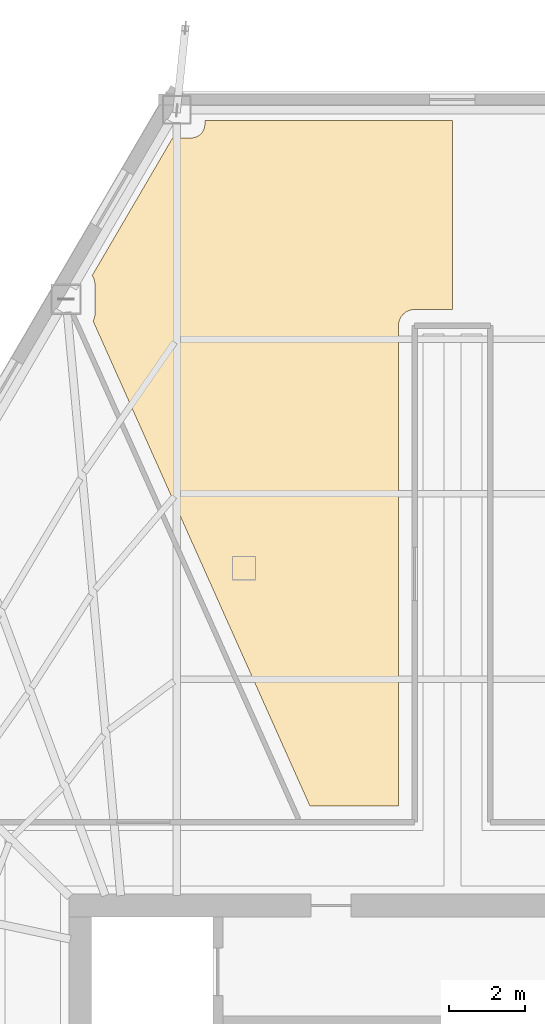
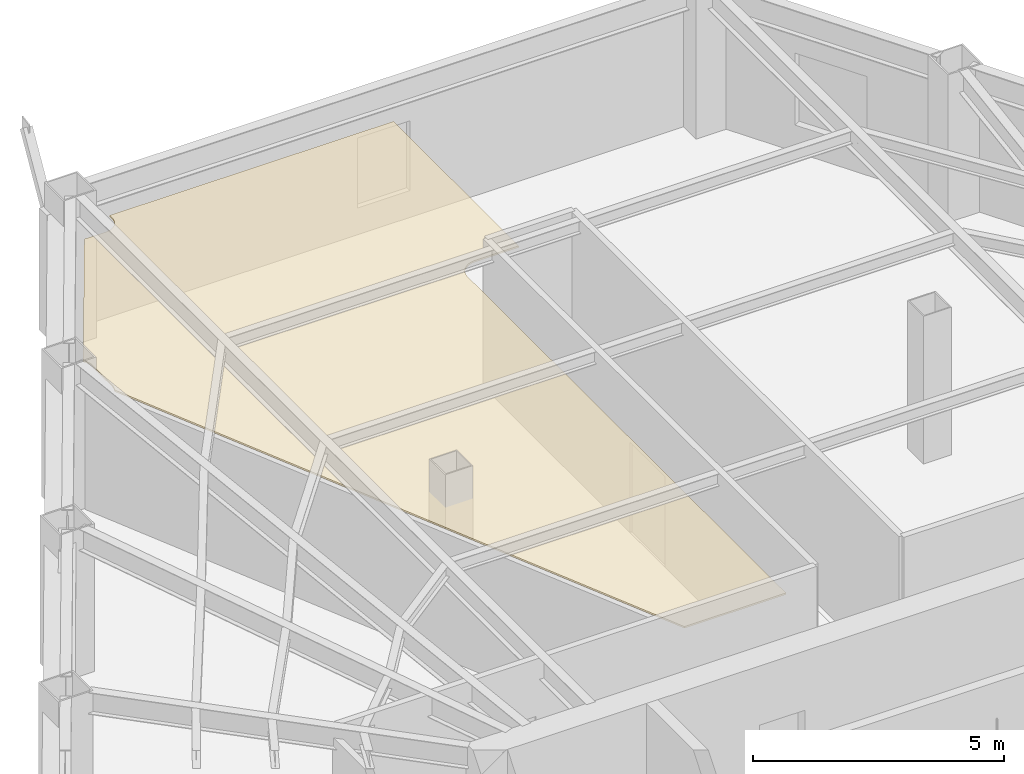
# One storey, part 13 of 13: 1 covering.
"""IFC4 building model written with IfcOpenShell, lengths in metres."""

from ifc_helpers import new_model, si_unit, direction, frame, origin, place, context, subcontext, project, spatial, polyline, outline, extrude, material, layer, layer_set, type_object, element, save


model = new_model("IFC4")

# Units and contexts
model_context = context("Model", 3, precision=1e-05, world=origin(), true_north=direction((0.0, 1.0)))
body_context = subcontext(model_context, "Body", "Model", "MODEL_VIEW")
ifc_project = project(units=[si_unit("LENGTHUNIT", "METRE"), si_unit("AREAUNIT", "SQUARE_METRE"), si_unit("VOLUMEUNIT", "CUBIC_METRE"), si_unit("PLANEANGLEUNIT", "RADIAN"), si_unit("MASSUNIT", "GRAM", prefix="KILO")], contexts=[model_context])

# Site, building, storey
site_placement = place(None, origin())
site = spatial("IfcSite", under=ifc_project, at=site_placement, CompositionType="ELEMENT")
building_placement = place(site_placement, origin())
building = spatial("IfcBuilding", under=site, at=building_placement, Name="Kavelnor Concourse Tower", CompositionType="ELEMENT")
storey_placement = place(building_placement, frame((0.0, 0.0, 59.89990234375)))
storey = spatial("IfcBuildingStorey", under=building, at=storey_placement, Name="L15", CompositionType="ELEMENT", Elevation=59.89990234375)

# Covering
ifc_material = material(Name="Mineral fibre acoustic ceiling tile")
ifc_layer = layer(ifc_material, 0.0400390625, Name="Mineral fibre acoustic ceiling tile")
ifc_layer_set = layer_set([ifc_layer], Name="Mineral fibre acoustic ceiling tile")
covering_type = type_object("IfcCoveringType", Name="COV-CEILING-ACOUSTIC", PredefinedType="CEILING", material=ifc_layer_set)
covering_placement = place(storey_placement, frame((0.0, 0.0, 2.75)))
element("IfcCovering", 1, at=covering_placement, inside=storey, type_object=covering_type, Name="L15 Suspended Acoustic Ceiling", PredefinedType="CEILING", context=body_context, shape_type="SweptSolid", body=[
    extrude(outline(polyline([(31.141845703125, 43.155029296875), (31.177001953125, 43.160400390625), (31.211181640625, 43.1689453125), (31.244384765625, 43.180908203125), (31.276611328125, 43.19580078125), (31.306884765625, 43.214111328125), (31.335205078125, 43.235107421875), (31.361328125, 43.259033203125), (31.38525390625, 43.28515625), (31.40625, 43.313720703125), (31.424560546875, 43.343994140625), (31.439697265625, 43.3759765625), (31.451416015625, 43.4091796875), (31.460205078125, 43.443603515625), (31.46533203125, 43.478515625), (31.466552734375, 43.505615234375), (31.466552734375, 43.61376953125), (37.9951171875, 43.61376953125), (37.9951171875, 38.62255859375), (36.99169921875, 38.62255859375), (36.95849609375, 38.620849609375), (36.91748046875, 38.61474609375), (36.877197265625, 38.604736328125), (36.838134765625, 38.5908203125), (36.800537109375, 38.572998046875), (36.764892578125, 38.551513671875), (36.731689453125, 38.52685546875), (36.700927734375, 38.4990234375), (36.673095703125, 38.46826171875), (36.6484375, 38.43505859375), (36.626953125, 38.3994140625), (36.609375, 38.36181640625), (36.59521484375, 38.32275390625), (36.585205078125, 38.282470703125), (36.5791015625, 38.241455078125), (36.577392578125, 38.208251953125), (36.577392578125, 25.5224609375), (34.240966796875, 25.5224609375), (28.5185546875, 38.3193359375), (28.5234375, 38.327392578125), (28.53857421875, 38.359375), (28.55029296875, 38.392578125), (28.55908203125, 38.427001953125), (28.564208984375, 38.4619140625), (28.5654296875, 38.489013671875), (28.5654296875, 39.305419921875), (28.564208984375, 39.33251953125), (28.55908203125, 39.367431640625), (28.55029296875, 39.40185546875), (28.53857421875, 39.43505859375), (28.5234375, 39.467041015625), (28.505126953125, 39.497314453125), (28.491455078125, 39.515869140625), (30.618408203125, 43.15380859375), (31.114990234375, 43.15380859375), (31.141845703125, 43.155029296875)])), origin(), (0.0, 0.0, 1.0), 0.0400390625),
])

save(model, "model.ifc")
